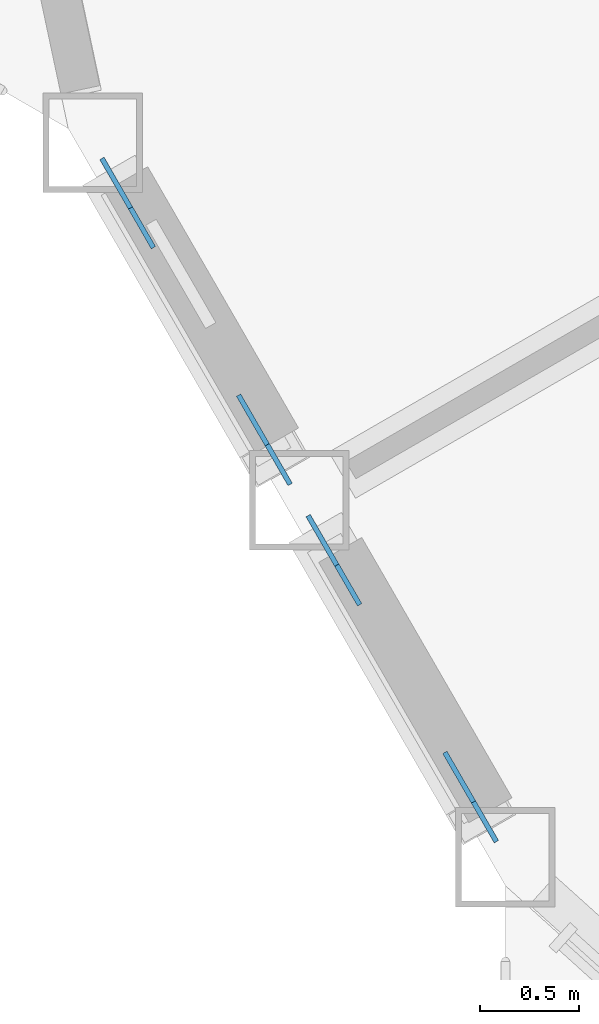
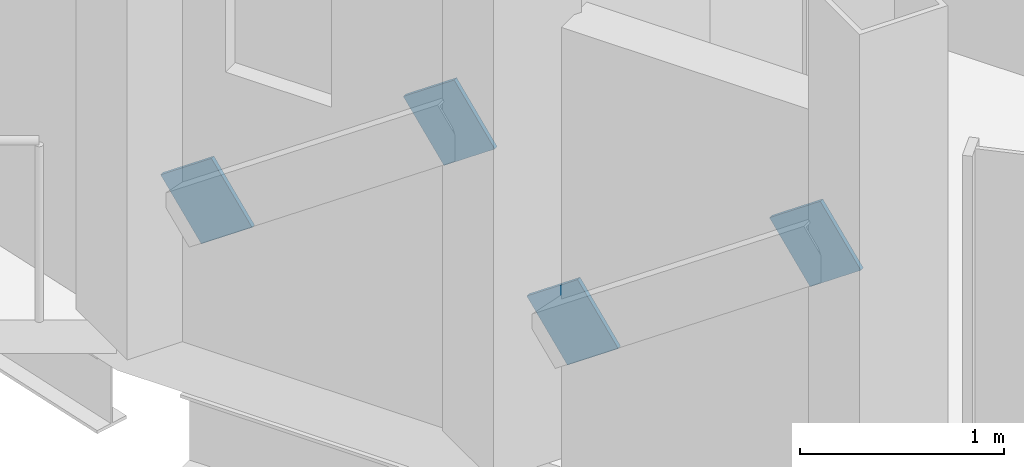
# One storey, part 19 of 26: 4 discrete accessories.
"""IFC4 building model written with IfcOpenShell, lengths in metres."""

from ifc_helpers import new_model, si_unit, direction, frame, origin, origin_2d, place, context, subcontext, project, spatial, rectangle, extrude, material, material_profile, profile_set, type_object, element, save


model = new_model("IFC4")

# Units and contexts
model_context = context("Model", 3, precision=1e-05, world=origin(), true_north=direction((0.0, 1.0)))
body_context = subcontext(model_context, "Body", "Model", "MODEL_VIEW")
ifc_project = project(units=[si_unit("LENGTHUNIT", "METRE"), si_unit("AREAUNIT", "SQUARE_METRE"), si_unit("VOLUMEUNIT", "CUBIC_METRE"), si_unit("PLANEANGLEUNIT", "RADIAN"), si_unit("MASSUNIT", "GRAM", prefix="KILO")], contexts=[model_context])

# Site, building, storey
site_placement = place(None, origin())
site = spatial("IfcSite", under=ifc_project, at=site_placement, CompositionType="ELEMENT")
building_placement = place(site_placement, origin())
building = spatial("IfcBuilding", under=site, at=building_placement, Name="Cormorant Prow Tower", CompositionType="ELEMENT")
storey_placement = place(building_placement, frame((0.0, 0.0, 401.800048828125)))
storey = spatial("IfcBuildingStorey", under=building, at=storey_placement, Name="L92", CompositionType="ELEMENT", Elevation=401.800048828125)

# Discrete accessories
ifc_material = material(Name="Structural steel ASTM A500 Gr C", Category="steel")
ifc_material_profile = material_profile(ifc_material, rectangle(XDim=0.02490234375, YDim=0.405029296875, at=origin_2d()), Name="Gusset plate 25x405")
ifc_profile_set = profile_set([ifc_material_profile], Name="Structural steel ASTM A500 Gr C")
discrete_accessory_type = type_object("IfcDiscreteAccessoryType", Name="Gusset plate 25x405", PredefinedType="BRACKET", material=ifc_profile_set)
for number, where, z_axis, x_axis, name in (
    (1, (-27.8271484375, -14.2412109375, 0.941162109375), (-0.411016012482, 0.712474276306, -0.568723344945), (-0.866199709737, -0.499697971631, 0.0), "Gusset plate GP3 L92.WSW00.g0"),
    (2, (-27.28369140625, -15.182373046875, 1.692626953125), (0.411595697368, -0.712269842394, 0.568560158228), (0.865832418869, 0.500334110806, 0.0), "Gusset plate GP3 L92.WSW00.g1"),
    (3, (-26.7900390625, -16.037109375, 0.941162109375), (-0.411595697368, 0.712269842394, -0.568560158228), (-0.865832418869, -0.500334110806, 0.0), "Gusset plate GP3 L92.WSW01.g0"),
    (4, (-26.246826171875, -16.978271484375, 1.692626953125), (0.411595697368, -0.712269842394, 0.568560158228), (0.865832418869, 0.500334110806, 0.0), "Gusset plate GP3 L92.WSW01.g1"),
):
    element("IfcDiscreteAccessory", number, at=place(storey_placement, frame(where, z_axis=z_axis, x_axis=x_axis)), inside=storey, type_object=discrete_accessory_type, Name=name, PredefinedType="BRACKET", context=body_context, shape_type="SweptSolid", body=[
        extrude(rectangle(XDim=0.02490234375, YDim=0.405029296875, at=origin_2d()), origin(), (0.0, 0.0, 1.0), 0.349853515625),
    ])

save(model, "model.ifc")
